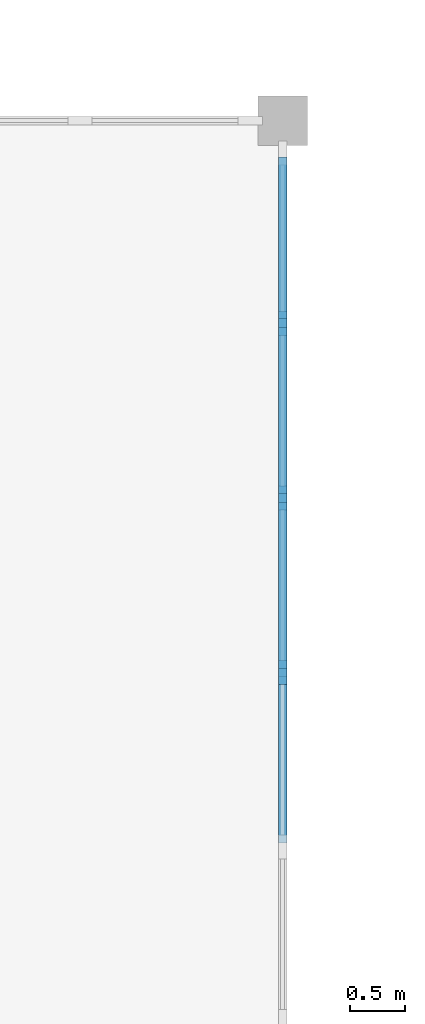
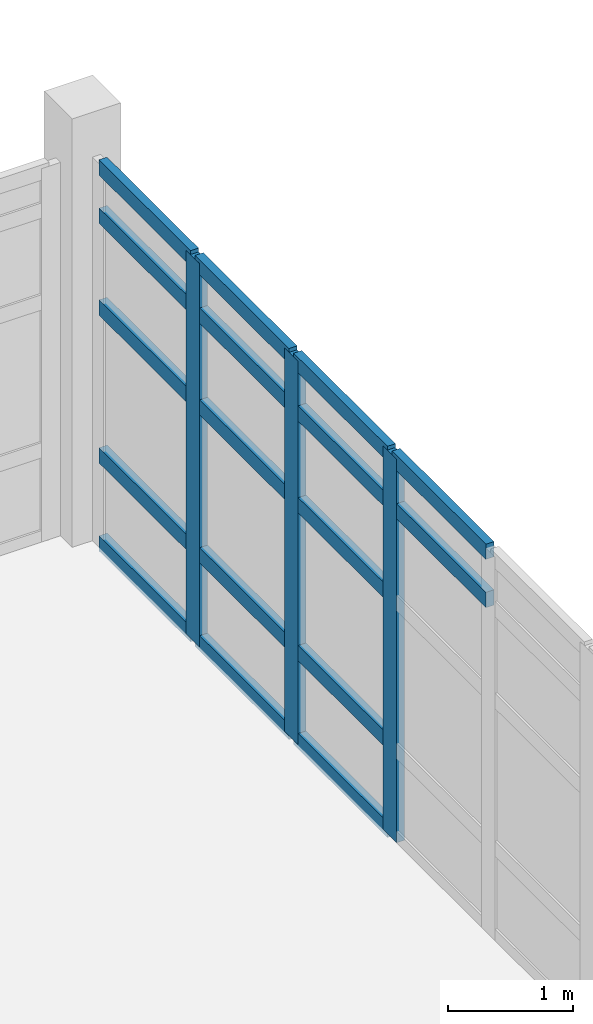
# One storey, part 66 of 122: 20 members, 1 element without a shape of its own.
"""IFC4 building model written with IfcOpenShell, lengths in metres."""

from ifc_helpers import new_model, si_unit, direction, frame, origin, origin_2d, place, context, subcontext, project, spatial, rectangle, extrude, material, layer, layer_set, material_profile, profile_set, type_object, element, aggregate, save


model = new_model("IFC4")

# Units and contexts
model_context = context("Model", 3, precision=1e-05, world=origin(), true_north=direction((0.0, 1.0)))
body_context = subcontext(model_context, "Body", "Model", "MODEL_VIEW")
ifc_project = project(units=[si_unit("LENGTHUNIT", "METRE"), si_unit("AREAUNIT", "SQUARE_METRE"), si_unit("VOLUMEUNIT", "CUBIC_METRE"), si_unit("PLANEANGLEUNIT", "RADIAN"), si_unit("MASSUNIT", "GRAM", prefix="KILO"), si_unit("THERMODYNAMICTEMPERATUREUNIT", "KELVIN"), si_unit("POWERUNIT", "WATT")], contexts=[model_context])

# Site, building, storey
site_placement = place(None, origin())
site = spatial("IfcSite", under=ifc_project, at=site_placement, CompositionType="ELEMENT")
building_placement = place(site_placement, origin())
building = spatial("IfcBuilding", under=site, at=building_placement, Name="Korenveer Ferry Terminal", CompositionType="ELEMENT")
storey_placement = place(building_placement, frame((0.0, 0.0, 10.199951171875)))
storey = spatial("IfcBuildingStorey", under=building, at=storey_placement, Name="L02", CompositionType="ELEMENT", Elevation=10.199951171875)

# Curtain wall, members
ifc_material_1 = material(Name="Unitised bronze-and-glass curtain wall", Category="glass")
ifc_layer = layer(ifc_material_1, 0.219970703125)
ifc_layer_set = layer_set([ifc_layer], Name="Unitised bronze-and-glass curtain wall")
curtain_wall_type = type_object("IfcCurtainWallType", Name="ENV-CW-100", PredefinedType="USERDEFINED", material=ifc_layer_set)
curtain_wall_placement = place(storey_placement, frame((176.0, 79.7451171875, 0.0)))
curtain_wall = element("IfcCurtainWall", 1, at=curtain_wall_placement, inside=storey, type_object=curtain_wall_type, Name="Lancet curtain wall CWX-L02-X176-176-Y70-80", ObjectType="UNITISED CURTAIN WALL", PredefinedType="USERDEFINED")
ifc_material_2 = material(Name="Anodised bronze aluminium", Category="aluminium")
ifc_material_profile_1 = material_profile(ifc_material_2, rectangle(XDim=0.074951171875, YDim=0.219970703125, at=origin_2d()), Name="ALU 75x220")
ifc_profile_set_1 = profile_set([ifc_material_profile_1], Name="Anodised bronze aluminium")
member_type_1 = type_object("IfcMemberType", Name="ENV-CWM-75X220", PredefinedType="MULLION", material=ifc_profile_set_1)
member_1_placement = place(storey_placement, frame((176.0, 78.163330078125, 0.0), z_axis=(0.0, 0.0, 1.0), x_axis=(1.0, 0.0, 0.0)))
member_1 = element("IfcMember", 2, at=member_1_placement, type_object=member_type_1, Name="CW-100 mullion 2", PredefinedType="MULLION", context=body_context, shape_type="SweptSolid", body=[
    extrude(rectangle(XDim=0.074951171875, YDim=0.219970703125, at=origin_2d()), origin(), (0.0, 0.0, 1.0), 3.760009765625),
])
member_2_placement = place(storey_placement, frame((176.0, 76.581787109375, 0.0), z_axis=(0.0, 0.0, 1.0), x_axis=(1.0, 0.0, 0.0)))
member_2 = element("IfcMember", 3, at=member_2_placement, type_object=member_type_1, Name="CW-100 mullion 3", PredefinedType="MULLION", context=body_context, shape_type="SweptSolid", body=[
    extrude(rectangle(XDim=0.074951171875, YDim=0.219970703125, at=origin_2d()), origin(), (0.0, 0.0, 1.0), 3.760009765625),
])
member_3_placement = place(storey_placement, frame((176.0, 75.0, 0.0), z_axis=(0.0, 0.0, 1.0), x_axis=(1.0, 0.0, 0.0)))
member_3 = element("IfcMember", 4, at=member_3_placement, type_object=member_type_1, Name="CW-100 mullion 4", PredefinedType="MULLION", context=body_context, shape_type="SweptSolid", body=[
    extrude(rectangle(XDim=0.074951171875, YDim=0.219970703125, at=origin_2d()), origin(), (0.0, 0.0, 1.0), 3.760009765625),
])
ifc_material_profile_2 = material_profile(ifc_material_2, rectangle(XDim=0.074951171875, YDim=0.14990234375, at=origin_2d()), Name="ALU 75x150")
ifc_profile_set_2 = profile_set([ifc_material_profile_2], Name="Anodised bronze aluminium")
member_type_2 = type_object("IfcMemberType", Name="ENV-CWT-75X150", PredefinedType="USERDEFINED", material=ifc_profile_set_2)
member_4_placement = place(storey_placement, frame((176.0, 79.669921875, 0.03759765625), z_axis=(0.0, -1.0, 0.0), x_axis=(1.0, 0.0, 0.0)))
member_4 = element("IfcMember", 5, at=member_4_placement, type_object=member_type_2, Name="CW-100 transom 1.1", ObjectType="TRANSOM", PredefinedType="USERDEFINED", context=body_context, shape_type="SweptSolid", body=[
    extrude(rectangle(XDim=0.074951171875, YDim=0.14990234375, at=origin_2d()), origin(), (0.0, 0.0, 1.0), 1.468994140625),
])
member_5_placement = place(storey_placement, frame((176.0, 79.669921875, 0.900146484375), z_axis=(0.0, -1.0, 0.0), x_axis=(1.0, 0.0, 0.0)))
member_5 = element("IfcMember", 6, at=member_5_placement, type_object=member_type_2, Name="CW-100 transom 1.2", ObjectType="TRANSOM", PredefinedType="USERDEFINED", context=body_context, shape_type="SweptSolid", body=[
    extrude(rectangle(XDim=0.074951171875, YDim=0.14990234375, at=origin_2d()), origin(), (0.0, 0.0, 1.0), 1.468994140625),
])
member_6_placement = place(storey_placement, frame((176.0, 79.669921875, 2.35009765625), z_axis=(0.0, -1.0, 0.0), x_axis=(1.0, 0.0, 0.0)))
member_6 = element("IfcMember", 7, at=member_6_placement, type_object=member_type_2, Name="CW-100 transom 1.3", ObjectType="TRANSOM", PredefinedType="USERDEFINED", context=body_context, shape_type="SweptSolid", body=[
    extrude(rectangle(XDim=0.074951171875, YDim=0.14990234375, at=origin_2d()), origin(), (0.0, 0.0, 1.0), 1.468994140625),
])
member_7_placement = place(storey_placement, frame((176.0, 79.669921875, 3.25), z_axis=(0.0, -1.0, 0.0), x_axis=(1.0, 0.0, 0.0)))
member_7 = element("IfcMember", 8, at=member_7_placement, type_object=member_type_2, Name="CW-100 transom 1.4", ObjectType="TRANSOM", PredefinedType="USERDEFINED", context=body_context, shape_type="SweptSolid", body=[
    extrude(rectangle(XDim=0.074951171875, YDim=0.14990234375, at=origin_2d()), origin(), (0.0, 0.0, 1.0), 1.468994140625),
])
member_8_placement = place(storey_placement, frame((176.0, 79.669921875, 3.72265625), z_axis=(0.0, -1.0, 0.0), x_axis=(1.0, 0.0, 0.0)))
member_8 = element("IfcMember", 9, at=member_8_placement, type_object=member_type_2, Name="CW-100 transom 1.5", ObjectType="TRANSOM", PredefinedType="USERDEFINED", context=body_context, shape_type="SweptSolid", body=[
    extrude(rectangle(XDim=0.074951171875, YDim=0.14990234375, at=origin_2d()), origin(), (0.0, 0.0, 1.0), 1.468994140625),
])
member_9_placement = place(storey_placement, frame((176.0, 78.125732421875, 0.03759765625), z_axis=(0.0, -1.0, 0.0), x_axis=(1.0, 0.0, 0.0)))
member_9 = element("IfcMember", 10, at=member_9_placement, type_object=member_type_2, Name="CW-100 transom 2.1", ObjectType="TRANSOM", PredefinedType="USERDEFINED", context=body_context, shape_type="SweptSolid", body=[
    extrude(rectangle(XDim=0.074951171875, YDim=0.14990234375, at=origin_2d()), origin(), (0.0, 0.0, 1.0), 1.506591796875),
])
member_10_placement = place(storey_placement, frame((176.0, 78.125732421875, 0.900146484375), z_axis=(0.0, -1.0, 0.0), x_axis=(1.0, 0.0, 0.0)))
member_10 = element("IfcMember", 11, at=member_10_placement, type_object=member_type_2, Name="CW-100 transom 2.2", ObjectType="TRANSOM", PredefinedType="USERDEFINED", context=body_context, shape_type="SweptSolid", body=[
    extrude(rectangle(XDim=0.074951171875, YDim=0.14990234375, at=origin_2d()), origin(), (0.0, 0.0, 1.0), 1.506591796875),
])
member_11_placement = place(storey_placement, frame((176.0, 78.125732421875, 2.35009765625), z_axis=(0.0, -1.0, 0.0), x_axis=(1.0, 0.0, 0.0)))
member_11 = element("IfcMember", 12, at=member_11_placement, type_object=member_type_2, Name="CW-100 transom 2.3", ObjectType="TRANSOM", PredefinedType="USERDEFINED", context=body_context, shape_type="SweptSolid", body=[
    extrude(rectangle(XDim=0.074951171875, YDim=0.14990234375, at=origin_2d()), origin(), (0.0, 0.0, 1.0), 1.506591796875),
])
member_12_placement = place(storey_placement, frame((176.0, 78.125732421875, 3.25), z_axis=(0.0, -1.0, 0.0), x_axis=(1.0, 0.0, 0.0)))
member_12 = element("IfcMember", 13, at=member_12_placement, type_object=member_type_2, Name="CW-100 transom 2.4", ObjectType="TRANSOM", PredefinedType="USERDEFINED", context=body_context, shape_type="SweptSolid", body=[
    extrude(rectangle(XDim=0.074951171875, YDim=0.14990234375, at=origin_2d()), origin(), (0.0, 0.0, 1.0), 1.506591796875),
])
member_13_placement = place(storey_placement, frame((176.0, 78.125732421875, 3.72265625), z_axis=(0.0, -1.0, 0.0), x_axis=(1.0, 0.0, 0.0)))
member_13 = element("IfcMember", 14, at=member_13_placement, type_object=member_type_2, Name="CW-100 transom 2.5", ObjectType="TRANSOM", PredefinedType="USERDEFINED", context=body_context, shape_type="SweptSolid", body=[
    extrude(rectangle(XDim=0.074951171875, YDim=0.14990234375, at=origin_2d()), origin(), (0.0, 0.0, 1.0), 1.506591796875),
])
member_14_placement = place(storey_placement, frame((176.0, 76.544189453125, 0.03759765625), z_axis=(0.0, -1.0, 0.0), x_axis=(1.0, 0.0, 0.0)))
member_14 = element("IfcMember", 15, at=member_14_placement, type_object=member_type_2, Name="CW-100 transom 3.1", ObjectType="TRANSOM", PredefinedType="USERDEFINED", context=body_context, shape_type="SweptSolid", body=[
    extrude(rectangle(XDim=0.074951171875, YDim=0.14990234375, at=origin_2d()), origin(), (0.0, 0.0, 1.0), 1.506591796875),
])
member_15_placement = place(storey_placement, frame((176.0, 76.544189453125, 0.900146484375), z_axis=(0.0, -1.0, 0.0), x_axis=(1.0, 0.0, 0.0)))
member_15 = element("IfcMember", 16, at=member_15_placement, type_object=member_type_2, Name="CW-100 transom 3.2", ObjectType="TRANSOM", PredefinedType="USERDEFINED", context=body_context, shape_type="SweptSolid", body=[
    extrude(rectangle(XDim=0.074951171875, YDim=0.14990234375, at=origin_2d()), origin(), (0.0, 0.0, 1.0), 1.506591796875),
])
member_16_placement = place(storey_placement, frame((176.0, 76.544189453125, 2.35009765625), z_axis=(0.0, -1.0, 0.0), x_axis=(1.0, 0.0, 0.0)))
member_16 = element("IfcMember", 17, at=member_16_placement, type_object=member_type_2, Name="CW-100 transom 3.3", ObjectType="TRANSOM", PredefinedType="USERDEFINED", context=body_context, shape_type="SweptSolid", body=[
    extrude(rectangle(XDim=0.074951171875, YDim=0.14990234375, at=origin_2d()), origin(), (0.0, 0.0, 1.0), 1.506591796875),
])
member_17_placement = place(storey_placement, frame((176.0, 76.544189453125, 3.25), z_axis=(0.0, -1.0, 0.0), x_axis=(1.0, 0.0, 0.0)))
member_17 = element("IfcMember", 18, at=member_17_placement, type_object=member_type_2, Name="CW-100 transom 3.4", ObjectType="TRANSOM", PredefinedType="USERDEFINED", context=body_context, shape_type="SweptSolid", body=[
    extrude(rectangle(XDim=0.074951171875, YDim=0.14990234375, at=origin_2d()), origin(), (0.0, 0.0, 1.0), 1.506591796875),
])
member_18_placement = place(storey_placement, frame((176.0, 76.544189453125, 3.72265625), z_axis=(0.0, -1.0, 0.0), x_axis=(1.0, 0.0, 0.0)))
member_18 = element("IfcMember", 19, at=member_18_placement, type_object=member_type_2, Name="CW-100 transom 3.5", ObjectType="TRANSOM", PredefinedType="USERDEFINED", context=body_context, shape_type="SweptSolid", body=[
    extrude(rectangle(XDim=0.074951171875, YDim=0.14990234375, at=origin_2d()), origin(), (0.0, 0.0, 1.0), 1.506591796875),
])
member_19_placement = place(storey_placement, frame((176.0, 74.96240234375, 3.25), z_axis=(0.0, -1.0, 0.0), x_axis=(1.0, 0.0, 0.0)))
member_19 = element("IfcMember", 20, at=member_19_placement, type_object=member_type_2, Name="CW-100 transom 4.4", ObjectType="TRANSOM", PredefinedType="USERDEFINED", context=body_context, shape_type="SweptSolid", body=[
    extrude(rectangle(XDim=0.074951171875, YDim=0.14990234375, at=origin_2d()), origin(), (0.0, 0.0, 1.0), 1.506591796875),
])
member_20_placement = place(storey_placement, frame((176.0, 74.96240234375, 3.72265625), z_axis=(0.0, -1.0, 0.0), x_axis=(1.0, 0.0, 0.0)))
member_20 = element("IfcMember", 21, at=member_20_placement, type_object=member_type_2, Name="CW-100 transom 4.5", ObjectType="TRANSOM", PredefinedType="USERDEFINED", context=body_context, shape_type="SweptSolid", body=[
    extrude(rectangle(XDim=0.074951171875, YDim=0.14990234375, at=origin_2d()), origin(), (0.0, 0.0, 1.0), 1.506591796875),
])
aggregate(curtain_wall, [member_1, member_2, member_3, member_4, member_5, member_6, member_7, member_8, member_9, member_10, member_11, member_12, member_13, member_14, member_15, member_16, member_17, member_18, member_19, member_20])

save(model, "model.ifc")
